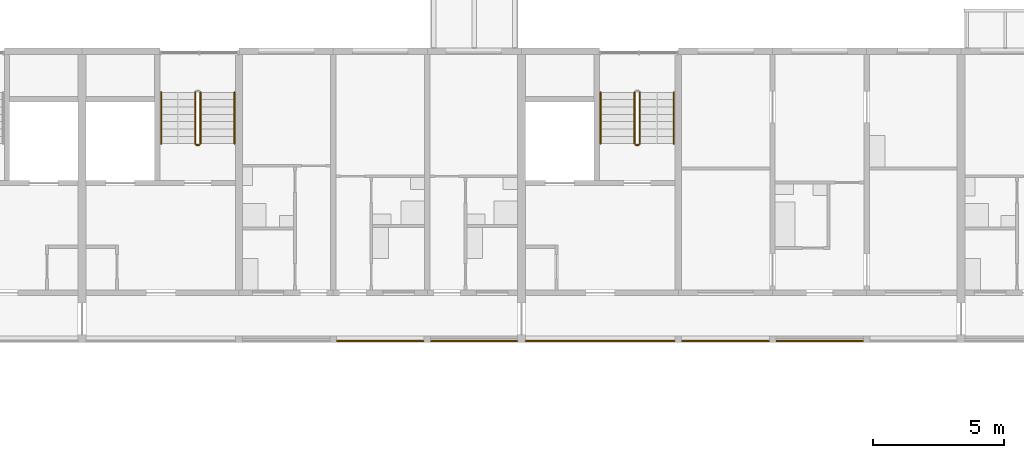
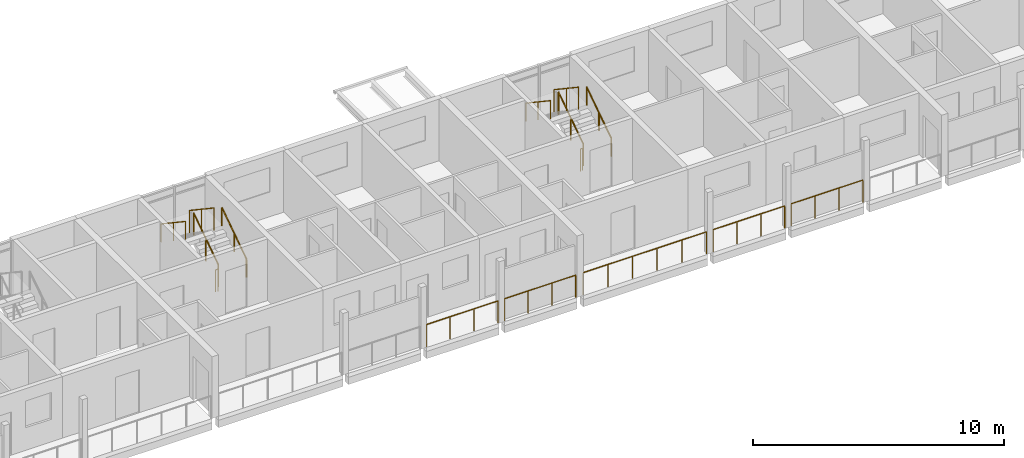
# One storey, part 77 of 100: 15 railings.
"""IFC4 building model written with IfcOpenShell, lengths in metres."""

from ifc_helpers import new_model, si_unit, direction, frame, origin, origin_2d, place, context, subcontext, project, spatial, circle, extrude, material, type_object, element, save


model = new_model("IFC4")

# Units and contexts
model_context = context("Model", 3, precision=1e-05, world=origin(), true_north=direction((0.0, 1.0)))
body_context = subcontext(model_context, "Body", "Model", "MODEL_VIEW")
ifc_project = project(units=[si_unit("LENGTHUNIT", "METRE"), si_unit("AREAUNIT", "SQUARE_METRE"), si_unit("VOLUMEUNIT", "CUBIC_METRE"), si_unit("PLANEANGLEUNIT", "RADIAN"), si_unit("MASSUNIT", "GRAM", prefix="KILO")], contexts=[model_context])

# Site, building, storey
site_placement = place(None, origin())
site = spatial("IfcSite", under=ifc_project, at=site_placement, CompositionType="ELEMENT")
building_placement = place(site_placement, origin())
building = spatial("IfcBuilding", under=site, at=building_placement, Name="Ridgestep Commons", CompositionType="ELEMENT")
storey_placement = place(building_placement, frame((0.0, 0.0, 9.0)))
storey = spatial("IfcBuildingStorey", under=building, at=storey_placement, Name="L03", CompositionType="ELEMENT", Elevation=9.0)

# Railings
ifc_material_1 = material(Name="Structural steel S355JR", Category="steel")
railing_type_1 = type_object("IfcRailingType", Name="Guard 1100", PredefinedType="GUARDRAIL", material=ifc_material_1)
railing_1_placement = place(storey_placement, frame((38.5458984375, 66.050048828125, 0.0)))
element("IfcRailing", 1, at=railing_1_placement, inside=storey, type_object=railing_type_1, Name="Gallery guard B 03.7", PredefinedType="GUARDRAIL", context=body_context, shape_type="SweptSolid", body=[
    extrude(circle(Radius=0.02392578125, at=origin_2d()), frame((0.0, 0.0, 1.076171875), z_axis=(1.0, 0.0, 0.0), x_axis=(0.0, 1.0, 0.0)), (0.0, 0.0, 1.0), 3.30810546875),
    extrude(circle(Radius=0.02099609375, at=origin_2d()), origin(), (0.0, 0.0, 1.0), 1.052001953125),
    extrude(circle(Radius=0.02099609375, at=origin_2d()), frame((1.102783203125, 0.0, 0.0)), (0.0, 0.0, 1.0), 1.052001953125),
    extrude(circle(Radius=0.02099609375, at=origin_2d()), frame((2.205322265625, 0.0, 0.0)), (0.0, 0.0, 1.0), 1.052001953125),
    extrude(circle(Radius=0.02099609375, at=origin_2d()), frame((3.30810546875, 0.0, 0.0)), (0.0, 0.0, 1.0), 1.052001953125),
])
railing_2_placement = place(storey_placement, frame((42.14599609375, 66.050048828125, 0.0)))
element("IfcRailing", 2, at=railing_2_placement, inside=storey, type_object=railing_type_1, Name="Gallery guard B 03.8", PredefinedType="GUARDRAIL", context=body_context, shape_type="SweptSolid", body=[
    extrude(circle(Radius=0.02392578125, at=origin_2d()), frame((0.0, 0.0, 1.076171875), z_axis=(1.0, 0.0, 0.0), x_axis=(0.0, 1.0, 0.0)), (0.0, 0.0, 1.0), 3.282958984375),
    extrude(circle(Radius=0.02099609375, at=origin_2d()), origin(), (0.0, 0.0, 1.0), 1.052001953125),
    extrude(circle(Radius=0.02099609375, at=origin_2d()), frame((1.09423828125, 0.0, 0.0)), (0.0, 0.0, 1.0), 1.052001953125),
    extrude(circle(Radius=0.02099609375, at=origin_2d()), frame((2.188720703125, 0.0, 0.0)), (0.0, 0.0, 1.0), 1.052001953125),
    extrude(circle(Radius=0.02099609375, at=origin_2d()), frame((3.282958984375, 0.0, 0.0)), (0.0, 0.0, 1.0), 1.052001953125),
])
railing_3_placement = place(storey_placement, frame((45.77099609375, 66.050048828125, 0.0)))
element("IfcRailing", 3, at=railing_3_placement, inside=storey, type_object=railing_type_1, Name="Gallery guard B 03.9", PredefinedType="GUARDRAIL", context=body_context, shape_type="SweptSolid", body=[
    extrude(circle(Radius=0.02392578125, at=origin_2d()), frame((0.0, 0.0, 1.076171875), z_axis=(1.0, 0.0, 0.0), x_axis=(0.0, 1.0, 0.0)), (0.0, 0.0, 1.0), 5.68310546875),
    extrude(circle(Radius=0.02099609375, at=origin_2d()), origin(), (0.0, 0.0, 1.0), 1.052001953125),
    extrude(circle(Radius=0.02099609375, at=origin_2d()), frame((1.13671875, 0.0, 0.0)), (0.0, 0.0, 1.0), 1.052001953125),
    extrude(circle(Radius=0.02099609375, at=origin_2d()), frame((2.273193359375, 0.0, 0.0)), (0.0, 0.0, 1.0), 1.052001953125),
    extrude(circle(Radius=0.02099609375, at=origin_2d()), frame((3.409912109375, 0.0, 0.0)), (0.0, 0.0, 1.0), 1.052001953125),
    extrude(circle(Radius=0.02099609375, at=origin_2d()), frame((4.54638671875, 0.0, 0.0)), (0.0, 0.0, 1.0), 1.052001953125),
    extrude(circle(Radius=0.02099609375, at=origin_2d()), frame((5.68310546875, 0.0, 0.0)), (0.0, 0.0, 1.0), 1.052001953125),
])
railing_4_placement = place(storey_placement, frame((51.74609375, 66.050048828125, 0.0)))
element("IfcRailing", 4, at=railing_4_placement, inside=storey, type_object=railing_type_1, Name="Gallery guard B 03.10", PredefinedType="GUARDRAIL", context=body_context, shape_type="SweptSolid", body=[
    extrude(circle(Radius=0.02392578125, at=origin_2d()), frame((0.0, 0.0, 1.076171875), z_axis=(1.0, 0.0, 0.0), x_axis=(0.0, 1.0, 0.0)), (0.0, 0.0, 1.0), 3.307861328125),
    extrude(circle(Radius=0.02099609375, at=origin_2d()), origin(), (0.0, 0.0, 1.0), 1.052001953125),
    extrude(circle(Radius=0.02099609375, at=origin_2d()), frame((1.1025390625, 0.0, 0.0)), (0.0, 0.0, 1.0), 1.052001953125),
    extrude(circle(Radius=0.02099609375, at=origin_2d()), frame((2.205322265625, 0.0, 0.0)), (0.0, 0.0, 1.0), 1.052001953125),
    extrude(circle(Radius=0.02099609375, at=origin_2d()), frame((3.307861328125, 0.0, 0.0)), (0.0, 0.0, 1.0), 1.052001953125),
])
railing_5_placement = place(storey_placement, frame((55.345947265625, 66.050048828125, 0.0)))
element("IfcRailing", 5, at=railing_5_placement, inside=storey, type_object=railing_type_1, Name="Gallery guard B 03.11", PredefinedType="GUARDRAIL", context=body_context, shape_type="SweptSolid", body=[
    extrude(circle(Radius=0.02392578125, at=origin_2d()), frame((0.0, 0.0, 1.076171875), z_axis=(1.0, 0.0, 0.0), x_axis=(0.0, 1.0, 0.0)), (0.0, 0.0, 1.0), 3.30810546875),
    extrude(circle(Radius=0.02099609375, at=origin_2d()), origin(), (0.0, 0.0, 1.0), 1.052001953125),
    extrude(circle(Radius=0.02099609375, at=origin_2d()), frame((1.102783203125, 0.0, 0.0)), (0.0, 0.0, 1.0), 1.052001953125),
    extrude(circle(Radius=0.02099609375, at=origin_2d()), frame((2.205322265625, 0.0, 0.0)), (0.0, 0.0, 1.0), 1.052001953125),
    extrude(circle(Radius=0.02099609375, at=origin_2d()), frame((3.30810546875, 0.0, 0.0)), (0.0, 0.0, 1.0), 1.052001953125),
])
ifc_material_2 = material(Name="Structural steel S355JR", Category="steel")
railing_type_2 = type_object("IfcRailingType", Name="Stair guard 1100", PredefinedType="GUARDRAIL", material=ifc_material_2)
railing_6_placement = place(storey_placement, frame((33.324951171875, 73.60009765625, 0.1875)))
element("IfcRailing", 6, at=railing_6_placement, inside=storey, type_object=railing_type_2, Name="L03 B2C stair guard 1", PredefinedType="GUARDRAIL", context=body_context, shape_type="SweptSolid", body=[
    extrude(circle(Radius=0.02392578125, at=origin_2d()), frame((0.0, 0.0, 1.076171875), z_axis=(0.0, 0.830902050051, 0.556418712142), x_axis=(-1.0, 0.0, 0.0)), (0.0, 0.0, 1.0), 2.35888671875),
    extrude(circle(Radius=0.02099609375, at=origin_2d()), origin(), (0.0, 0.0, 1.0), 1.052001953125),
    extrude(circle(Radius=0.02099609375, at=origin_2d()), frame((0.0, 0.97998046875, 0.65625)), (0.0, 0.0, 1.0), 1.052001953125),
    extrude(circle(Radius=0.02099609375, at=origin_2d()), frame((0.0, 1.9599609375, 1.3125)), (0.0, 0.0, 1.0), 1.052001953125),
])
railing_7_placement = place(storey_placement, frame((33.125, 75.56005859375, 1.6875)))
element("IfcRailing", 7, at=railing_7_placement, inside=storey, type_object=railing_type_2, Name="L03 B2C stair guard 3", PredefinedType="GUARDRAIL", context=body_context, shape_type="SweptSolid", body=[
    extrude(circle(Radius=0.02392578125, at=origin_2d()), frame((0.0, 0.0, 1.076171875), z_axis=(0.0, -0.830902050051, 0.556418712142), x_axis=(1.0, 0.0, 0.0)), (0.0, 0.0, 1.0), 2.35888671875),
    extrude(circle(Radius=0.02099609375, at=origin_2d()), origin(), (0.0, 0.0, 1.0), 1.052001953125),
    extrude(circle(Radius=0.02099609375, at=origin_2d()), frame((0.0, -0.97998046875, 0.65625)), (0.0, 0.0, 1.0), 1.052001953125),
    extrude(circle(Radius=0.02099609375, at=origin_2d()), frame((0.0, -1.9599609375, 1.3125)), (0.0, 0.0, 1.0), 1.052001953125),
])
railing_8_placement = place(storey_placement, frame((33.27490234375, 73.550048828125, 0.0)))
element("IfcRailing", 8, at=railing_8_placement, inside=storey, type_object=railing_type_2, Name="L03 B2C stair guard 4", PredefinedType="GUARDRAIL", context=body_context, shape_type="SweptSolid", body=[
    extrude(circle(Radius=0.02392578125, at=origin_2d()), frame((0.0, 0.0, 1.076171875), z_axis=(-1.0, 0.0, 0.0), x_axis=(0.0, -1.0, 0.0)), (0.0, 0.0, 1.0), 0.099853515625),
    extrude(circle(Radius=0.02099609375, at=origin_2d()), origin(), (0.0, 0.0, 1.0), 1.052001953125),
    extrude(circle(Radius=0.02099609375, at=origin_2d()), frame((-0.099853515625, 0.0, 0.0)), (0.0, 0.0, 1.0), 1.052001953125),
])
railing_9_placement = place(storey_placement, frame((50.125, 73.60009765625, 0.1875)))
element("IfcRailing", 9, at=railing_9_placement, inside=storey, type_object=railing_type_2, Name="L03 B3C stair guard 1", PredefinedType="GUARDRAIL", context=body_context, shape_type="SweptSolid", body=[
    extrude(circle(Radius=0.02392578125, at=origin_2d()), frame((0.0, 0.0, 1.076171875), z_axis=(0.0, 0.830902050051, 0.556418712142), x_axis=(-1.0, 0.0, 0.0)), (0.0, 0.0, 1.0), 2.35888671875),
    extrude(circle(Radius=0.02099609375, at=origin_2d()), origin(), (0.0, 0.0, 1.0), 1.052001953125),
    extrude(circle(Radius=0.02099609375, at=origin_2d()), frame((0.0, 0.97998046875, 0.65625)), (0.0, 0.0, 1.0), 1.052001953125),
    extrude(circle(Radius=0.02099609375, at=origin_2d()), frame((0.0, 1.9599609375, 1.3125)), (0.0, 0.0, 1.0), 1.052001953125),
])
railing_10_placement = place(storey_placement, frame((49.925048828125, 75.56005859375, 1.6875)))
element("IfcRailing", 10, at=railing_10_placement, inside=storey, type_object=railing_type_2, Name="L03 B3C stair guard 3", PredefinedType="GUARDRAIL", context=body_context, shape_type="SweptSolid", body=[
    extrude(circle(Radius=0.02392578125, at=origin_2d()), frame((0.0, 0.0, 1.076171875), z_axis=(0.0, -0.830902050051, 0.556418712142), x_axis=(1.0, 0.0, 0.0)), (0.0, 0.0, 1.0), 2.35888671875),
    extrude(circle(Radius=0.02099609375, at=origin_2d()), origin(), (0.0, 0.0, 1.0), 1.052001953125),
    extrude(circle(Radius=0.02099609375, at=origin_2d()), frame((0.0, -0.97998046875, 0.65625)), (0.0, 0.0, 1.0), 1.052001953125),
    extrude(circle(Radius=0.02099609375, at=origin_2d()), frame((0.0, -1.9599609375, 1.3125)), (0.0, 0.0, 1.0), 1.052001953125),
])
railing_11_placement = place(storey_placement, frame((50.074951171875, 73.550048828125, 0.0)))
element("IfcRailing", 11, at=railing_11_placement, inside=storey, type_object=railing_type_2, Name="L03 B3C stair guard 4", PredefinedType="GUARDRAIL", context=body_context, shape_type="SweptSolid", body=[
    extrude(circle(Radius=0.02392578125, at=origin_2d()), frame((0.0, 0.0, 1.076171875), z_axis=(-1.0, 0.0, 0.0), x_axis=(0.0, -1.0, 0.0)), (0.0, 0.0, 1.0), 0.099853515625),
    extrude(circle(Radius=0.02099609375, at=origin_2d()), origin(), (0.0, 0.0, 1.0), 1.052001953125),
    extrude(circle(Radius=0.02099609375, at=origin_2d()), frame((-0.099853515625, 0.0, 0.0)), (0.0, 0.0, 1.0), 1.052001953125),
])
ifc_material_3 = material(Name="Structural steel S355JR", Category="steel")
railing_type_3 = type_object("IfcRailingType", Name="Stair handrail 900", PredefinedType="HANDRAIL", material=ifc_material_3)
railing_12_placement = place(storey_placement, frame((34.625, 73.60009765625, 0.1875)))
element("IfcRailing", 12, at=railing_12_placement, inside=storey, type_object=railing_type_3, Name="L03 B2C stair handrail 1", PredefinedType="HANDRAIL", context=body_context, shape_type="SweptSolid", body=[
    extrude(circle(Radius=0.02392578125, at=origin_2d()), frame((0.0, 0.0, 0.8759765625), z_axis=(0.0, 0.830902050051, 0.556418712142), x_axis=(-1.0, 0.0, 0.0)), (0.0, 0.0, 1.0), 2.35888671875),
    extrude(circle(Radius=0.02099609375, at=origin_2d()), origin(), (0.0, 0.0, 1.0), 0.851806640625),
    extrude(circle(Radius=0.02099609375, at=origin_2d()), frame((0.0, 0.97998046875, 0.65625)), (0.0, 0.0, 1.0), 0.851806640625),
    extrude(circle(Radius=0.02099609375, at=origin_2d()), frame((0.0, 1.9599609375, 1.3125)), (0.0, 0.0, 1.0), 0.851806640625),
])
railing_13_placement = place(storey_placement, frame((31.824951171875, 75.56005859375, 1.6875)))
element("IfcRailing", 13, at=railing_13_placement, inside=storey, type_object=railing_type_3, Name="L03 B2C stair handrail 2", PredefinedType="HANDRAIL", context=body_context, shape_type="SweptSolid", body=[
    extrude(circle(Radius=0.02392578125, at=origin_2d()), frame((0.0, 0.0, 0.8759765625), z_axis=(0.0, -0.830902050051, 0.556418712142), x_axis=(1.0, 0.0, 0.0)), (0.0, 0.0, 1.0), 2.35888671875),
    extrude(circle(Radius=0.02099609375, at=origin_2d()), origin(), (0.0, 0.0, 1.0), 0.851806640625),
    extrude(circle(Radius=0.02099609375, at=origin_2d()), frame((0.0, -0.97998046875, 0.65625)), (0.0, 0.0, 1.0), 0.851806640625),
    extrude(circle(Radius=0.02099609375, at=origin_2d()), frame((0.0, -1.9599609375, 1.3125)), (0.0, 0.0, 1.0), 0.851806640625),
])
railing_14_placement = place(storey_placement, frame((51.425048828125, 73.60009765625, 0.1875)))
element("IfcRailing", 14, at=railing_14_placement, inside=storey, type_object=railing_type_3, Name="L03 B3C stair handrail 1", PredefinedType="HANDRAIL", context=body_context, shape_type="SweptSolid", body=[
    extrude(circle(Radius=0.02392578125, at=origin_2d()), frame((0.0, 0.0, 0.8759765625), z_axis=(0.0, 0.830902050051, 0.556418712142), x_axis=(-1.0, 0.0, 0.0)), (0.0, 0.0, 1.0), 2.35888671875),
    extrude(circle(Radius=0.02099609375, at=origin_2d()), origin(), (0.0, 0.0, 1.0), 0.851806640625),
    extrude(circle(Radius=0.02099609375, at=origin_2d()), frame((0.0, 0.97998046875, 0.65625)), (0.0, 0.0, 1.0), 0.851806640625),
    extrude(circle(Radius=0.02099609375, at=origin_2d()), frame((0.0, 1.9599609375, 1.3125)), (0.0, 0.0, 1.0), 0.851806640625),
])
railing_15_placement = place(storey_placement, frame((48.625, 75.56005859375, 1.6875)))
element("IfcRailing", 15, at=railing_15_placement, inside=storey, type_object=railing_type_3, Name="L03 B3C stair handrail 2", PredefinedType="HANDRAIL", context=body_context, shape_type="SweptSolid", body=[
    extrude(circle(Radius=0.02392578125, at=origin_2d()), frame((0.0, 0.0, 0.8759765625), z_axis=(0.0, -0.830902050051, 0.556418712142), x_axis=(1.0, 0.0, 0.0)), (0.0, 0.0, 1.0), 2.35888671875),
    extrude(circle(Radius=0.02099609375, at=origin_2d()), origin(), (0.0, 0.0, 1.0), 0.851806640625),
    extrude(circle(Radius=0.02099609375, at=origin_2d()), frame((0.0, -0.97998046875, 0.65625)), (0.0, 0.0, 1.0), 0.851806640625),
    extrude(circle(Radius=0.02099609375, at=origin_2d()), frame((0.0, -1.9599609375, 1.3125)), (0.0, 0.0, 1.0), 0.851806640625),
])

save(model, "model.ifc")
